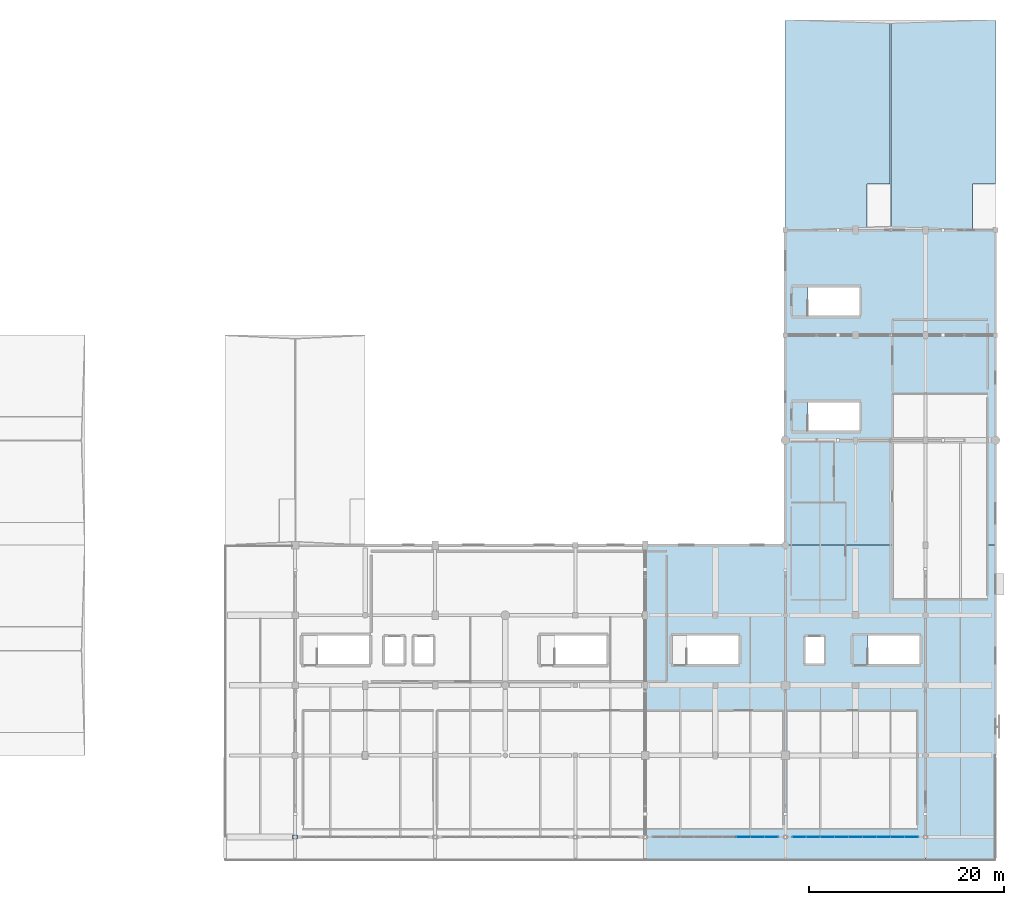
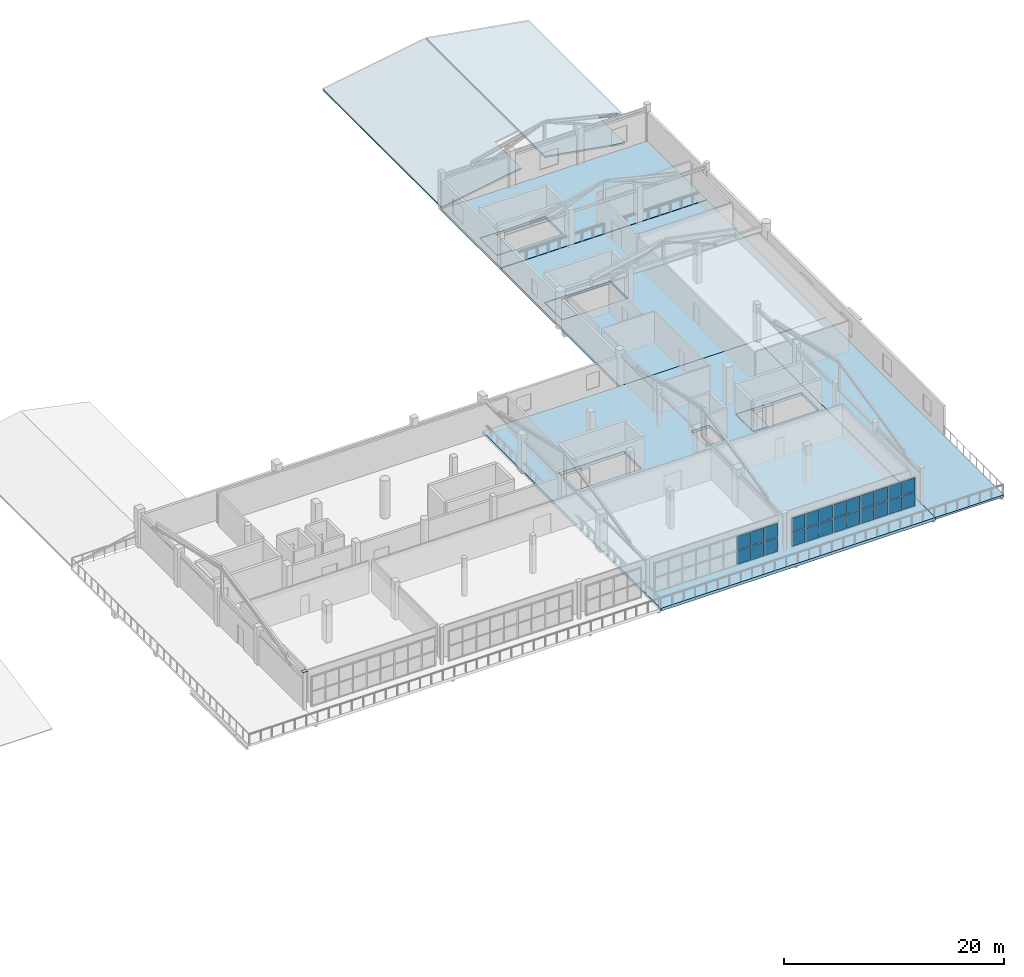
# One storey, part 23 of 41: 25 plates, 9 slabs, 2 elements without a shape of their own.
"""IFC4 building model written with IfcOpenShell, lengths in metres."""

from ifc_helpers import new_model, si_unit, direction, frame, origin, origin_2d, place, context, subcontext, project, spatial, polyline, rectangle, outline, extrude, material, layer, layer_set, type_object, element, aggregate, save


model = new_model("IFC4")

# Units and contexts
model_context = context("Model", 3, precision=1e-05, world=origin(), true_north=direction((0.0, 1.0)))
body_context = subcontext(model_context, "Body", "Model", "MODEL_VIEW")
ifc_project = project(units=[si_unit("LENGTHUNIT", "METRE"), si_unit("AREAUNIT", "SQUARE_METRE"), si_unit("VOLUMEUNIT", "CUBIC_METRE"), si_unit("PLANEANGLEUNIT", "RADIAN"), si_unit("MASSUNIT", "GRAM", prefix="KILO")], contexts=[model_context])

# Site, building, storey
site_placement = place(None, origin())
site = spatial("IfcSite", under=ifc_project, at=site_placement, CompositionType="ELEMENT")
building_placement = place(site_placement, origin())
building = spatial("IfcBuilding", under=site, at=building_placement, Name="Solanera Park Tramway Depot", CompositionType="ELEMENT")
storey_placement = place(building_placement, frame((0.0, 0.0, 13.199951171875)))
storey = spatial("IfcBuildingStorey", under=building, at=storey_placement, Name="L03", CompositionType="ELEMENT", Elevation=13.199951171875)

# Curtain wall, plates
ifc_material_1 = material(Name="Bronze-anodised thermally broken aluminium curtain wall", Category="aluminium")
curtain_wall_type = type_object("IfcCurtainWallType", Name="Cantilevered OCC Inclined Glazing Wall", PredefinedType="NOTDEFINED", material=ifc_material_1)
curtain_wall_1_placement = place(storey_placement, origin())
curtain_wall_1 = element("IfcCurtainWall", 1, at=curtain_wall_1_placement, inside=storey, type_object=curtain_wall_type, Name="L03 Cantilevered OCC Inclined Glazing Wall #124", PredefinedType="NOTDEFINED")
ifc_material_2 = material(Name="Low-E laminated solar-control double glazing", Category="glass")
ifc_layer_1 = layer(ifc_material_2, 0.028076171875)
ifc_layer_set_1 = layer_set([ifc_layer_1], Name="Low-E laminated solar-control double glazing")
plate_type_1 = type_object("IfcPlateType", Name="Curtain Wall Double Glazing Panel 28", PredefinedType="CURTAIN_PANEL", material=ifc_layer_set_1)
plate_1_placement = place(storey_placement, frame((161.288818359375, 2.39990234375, 0.11181640625), z_axis=(0.0, 0.0, 1.0), x_axis=(1.0, 0.0, 0.0)))
plate_1 = element("IfcPlate", 2, at=plate_1_placement, type_object=plate_type_1, Name="CW-L03-124 Glazing Panel R1.C7", PredefinedType="CURTAIN_PANEL", context=body_context, shape_type="SweptSolid", body=[
    extrude(rectangle(XDim=1.392333984375, YDim=0.028076171875, at=origin_2d()), origin(), (0.0, 0.0, 1.0), 1.510986328125),
])
plate_2_placement = place(storey_placement, frame((162.7333984375, 2.39990234375, 0.11181640625), z_axis=(0.0, 0.0, 1.0), x_axis=(1.0, 0.0, 0.0)))
plate_2 = element("IfcPlate", 3, at=plate_2_placement, type_object=plate_type_1, Name="CW-L03-124 Glazing Panel R1.C8", PredefinedType="CURTAIN_PANEL", context=body_context, shape_type="SweptSolid", body=[
    extrude(rectangle(XDim=1.392333984375, YDim=0.028076171875, at=origin_2d()), origin(), (0.0, 0.0, 1.0), 1.510986328125),
])
plate_3_placement = place(storey_placement, frame((164.16162109375, 2.39990234375, 0.11181640625), z_axis=(0.0, 0.0, 1.0), x_axis=(1.0, 0.0, 0.0)))
plate_3 = element("IfcPlate", 4, at=plate_3_placement, type_object=plate_type_1, Name="CW-L03-124 Glazing Panel R1.C9", PredefinedType="CURTAIN_PANEL", context=body_context, shape_type="SweptSolid", body=[
    extrude(rectangle(XDim=1.35986328125, YDim=0.028076171875, at=origin_2d()), origin(), (0.0, 0.0, 1.0), 1.510986328125),
])
plate_4_placement = place(storey_placement, frame((161.288818359375, 2.39990234375, 1.72705078125), z_axis=(0.0, 0.0, 1.0), x_axis=(1.0, 0.0, 0.0)))
plate_4 = element("IfcPlate", 5, at=plate_4_placement, type_object=plate_type_1, Name="CW-L03-124 Glazing Panel R2.C7", PredefinedType="CURTAIN_PANEL", context=body_context, shape_type="SweptSolid", body=[
    extrude(rectangle(XDim=1.392333984375, YDim=0.028076171875, at=origin_2d()), origin(), (0.0, 0.0, 1.0), 1.510986328125),
])
plate_5_placement = place(storey_placement, frame((162.7333984375, 2.39990234375, 1.72705078125), z_axis=(0.0, 0.0, 1.0), x_axis=(1.0, 0.0, 0.0)))
plate_5 = element("IfcPlate", 6, at=plate_5_placement, type_object=plate_type_1, Name="CW-L03-124 Glazing Panel R2.C8", PredefinedType="CURTAIN_PANEL", context=body_context, shape_type="SweptSolid", body=[
    extrude(rectangle(XDim=1.392333984375, YDim=0.028076171875, at=origin_2d()), origin(), (0.0, 0.0, 1.0), 1.510986328125),
])
plate_6_placement = place(storey_placement, frame((164.16162109375, 2.39990234375, 1.72705078125), z_axis=(0.0, 0.0, 1.0), x_axis=(1.0, 0.0, 0.0)))
plate_6 = element("IfcPlate", 7, at=plate_6_placement, type_object=plate_type_1, Name="CW-L03-124 Glazing Panel R2.C9", PredefinedType="CURTAIN_PANEL", context=body_context, shape_type="SweptSolid", body=[
    extrude(rectangle(XDim=1.35986328125, YDim=0.028076171875, at=origin_2d()), origin(), (0.0, 0.0, 1.0), 1.510986328125),
])
aggregate(curtain_wall_1, [plate_1, plate_2, plate_3, plate_4, plate_5, plate_6])

curtain_wall_2_placement = place(storey_placement, origin())
curtain_wall_2 = element("IfcCurtainWall", 8, at=curtain_wall_2_placement, inside=storey, type_object=curtain_wall_type, Name="L03 Cantilevered OCC Inclined Glazing Wall #125", PredefinedType="NOTDEFINED")
plate_7_placement = place(storey_placement, frame((167.03857421875, 2.39990234375, 0.11181640625), z_axis=(0.0, 0.0, 1.0), x_axis=(1.0, 0.0, 0.0)))
plate_7 = element("IfcPlate", 9, at=plate_7_placement, type_object=plate_type_1, Name="CW-L03-125 Glazing Panel R1.C1", PredefinedType="CURTAIN_PANEL", context=body_context, shape_type="SweptSolid", body=[
    extrude(rectangle(XDim=1.35986328125, YDim=0.028076171875, at=origin_2d()), origin(), (0.0, 0.0, 1.0), 1.510986328125),
])
plate_8_placement = place(storey_placement, frame((168.466796875, 2.39990234375, 0.11181640625), z_axis=(0.0, 0.0, 1.0), x_axis=(1.0, 0.0, 0.0)))
plate_8 = element("IfcPlate", 10, at=plate_8_placement, type_object=plate_type_1, Name="CW-L03-125 Glazing Panel R1.C2", PredefinedType="CURTAIN_PANEL", context=body_context, shape_type="SweptSolid", body=[
    extrude(rectangle(XDim=1.392333984375, YDim=0.028076171875, at=origin_2d()), origin(), (0.0, 0.0, 1.0), 1.510986328125),
])
plate_9_placement = place(storey_placement, frame((169.9111328125, 2.39990234375, 0.11181640625), z_axis=(0.0, 0.0, 1.0), x_axis=(1.0, 0.0, 0.0)))
plate_9 = element("IfcPlate", 11, at=plate_9_placement, type_object=plate_type_1, Name="CW-L03-125 Glazing Panel R1.C3", PredefinedType="CURTAIN_PANEL", context=body_context, shape_type="SweptSolid", body=[
    extrude(rectangle(XDim=1.392333984375, YDim=0.028076171875, at=origin_2d()), origin(), (0.0, 0.0, 1.0), 1.510986328125),
])
plate_10_placement = place(storey_placement, frame((171.355712890625, 2.39990234375, 0.11181640625), z_axis=(0.0, 0.0, 1.0), x_axis=(1.0, 0.0, 0.0)))
plate_10 = element("IfcPlate", 12, at=plate_10_placement, type_object=plate_type_1, Name="CW-L03-125 Glazing Panel R1.C4", PredefinedType="CURTAIN_PANEL", context=body_context, shape_type="SweptSolid", body=[
    extrude(rectangle(XDim=1.392333984375, YDim=0.028076171875, at=origin_2d()), origin(), (0.0, 0.0, 1.0), 1.510986328125),
])
plate_11_placement = place(storey_placement, frame((172.800048828125, 2.39990234375, 0.11181640625), z_axis=(0.0, 0.0, 1.0), x_axis=(1.0, 0.0, 0.0)))
plate_11 = element("IfcPlate", 13, at=plate_11_placement, type_object=plate_type_1, Name="CW-L03-125 Glazing Panel R1.C5", PredefinedType="CURTAIN_PANEL", context=body_context, shape_type="SweptSolid", body=[
    extrude(rectangle(XDim=1.392333984375, YDim=0.028076171875, at=origin_2d()), origin(), (0.0, 0.0, 1.0), 1.510986328125),
])
plate_12_placement = place(storey_placement, frame((174.244384765625, 2.39990234375, 0.11181640625), z_axis=(0.0, 0.0, 1.0), x_axis=(1.0, 0.0, 0.0)))
plate_12 = element("IfcPlate", 14, at=plate_12_placement, type_object=plate_type_1, Name="CW-L03-125 Glazing Panel R1.C6", PredefinedType="CURTAIN_PANEL", context=body_context, shape_type="SweptSolid", body=[
    extrude(rectangle(XDim=1.392333984375, YDim=0.028076171875, at=origin_2d()), origin(), (0.0, 0.0, 1.0), 1.510986328125),
])
plate_13_placement = place(storey_placement, frame((175.68896484375, 2.39990234375, 0.11181640625), z_axis=(0.0, 0.0, 1.0), x_axis=(1.0, 0.0, 0.0)))
plate_13 = element("IfcPlate", 15, at=plate_13_placement, type_object=plate_type_1, Name="CW-L03-125 Glazing Panel R1.C7", PredefinedType="CURTAIN_PANEL", context=body_context, shape_type="SweptSolid", body=[
    extrude(rectangle(XDim=1.392333984375, YDim=0.028076171875, at=origin_2d()), origin(), (0.0, 0.0, 1.0), 1.510986328125),
])
plate_14_placement = place(storey_placement, frame((177.13330078125, 2.39990234375, 0.11181640625), z_axis=(0.0, 0.0, 1.0), x_axis=(1.0, 0.0, 0.0)))
plate_14 = element("IfcPlate", 16, at=plate_14_placement, type_object=plate_type_1, Name="CW-L03-125 Glazing Panel R1.C8", PredefinedType="CURTAIN_PANEL", context=body_context, shape_type="SweptSolid", body=[
    extrude(rectangle(XDim=1.392333984375, YDim=0.028076171875, at=origin_2d()), origin(), (0.0, 0.0, 1.0), 1.510986328125),
])
plate_15_placement = place(storey_placement, frame((178.5615234375, 2.39990234375, 0.11181640625), z_axis=(0.0, 0.0, 1.0), x_axis=(1.0, 0.0, 0.0)))
plate_15 = element("IfcPlate", 17, at=plate_15_placement, type_object=plate_type_1, Name="CW-L03-125 Glazing Panel R1.C9", PredefinedType="CURTAIN_PANEL", context=body_context, shape_type="SweptSolid", body=[
    extrude(rectangle(XDim=1.35986328125, YDim=0.028076171875, at=origin_2d()), origin(), (0.0, 0.0, 1.0), 1.510986328125),
])
plate_16_placement = place(storey_placement, frame((167.03857421875, 2.39990234375, 1.72705078125), z_axis=(0.0, 0.0, 1.0), x_axis=(1.0, 0.0, 0.0)))
plate_16 = element("IfcPlate", 18, at=plate_16_placement, type_object=plate_type_1, Name="CW-L03-125 Glazing Panel R2.C1", PredefinedType="CURTAIN_PANEL", context=body_context, shape_type="SweptSolid", body=[
    extrude(rectangle(XDim=1.35986328125, YDim=0.028076171875, at=origin_2d()), origin(), (0.0, 0.0, 1.0), 1.510986328125),
])
plate_17_placement = place(storey_placement, frame((168.466796875, 2.39990234375, 1.72705078125), z_axis=(0.0, 0.0, 1.0), x_axis=(1.0, 0.0, 0.0)))
plate_17 = element("IfcPlate", 19, at=plate_17_placement, type_object=plate_type_1, Name="CW-L03-125 Glazing Panel R2.C2", PredefinedType="CURTAIN_PANEL", context=body_context, shape_type="SweptSolid", body=[
    extrude(rectangle(XDim=1.392333984375, YDim=0.028076171875, at=origin_2d()), origin(), (0.0, 0.0, 1.0), 1.510986328125),
])
plate_18_placement = place(storey_placement, frame((169.9111328125, 2.39990234375, 1.72705078125), z_axis=(0.0, 0.0, 1.0), x_axis=(1.0, 0.0, 0.0)))
plate_18 = element("IfcPlate", 20, at=plate_18_placement, type_object=plate_type_1, Name="CW-L03-125 Glazing Panel R2.C3", PredefinedType="CURTAIN_PANEL", context=body_context, shape_type="SweptSolid", body=[
    extrude(rectangle(XDim=1.392333984375, YDim=0.028076171875, at=origin_2d()), origin(), (0.0, 0.0, 1.0), 1.510986328125),
])
plate_19_placement = place(storey_placement, frame((171.355712890625, 2.39990234375, 1.72705078125), z_axis=(0.0, 0.0, 1.0), x_axis=(1.0, 0.0, 0.0)))
plate_19 = element("IfcPlate", 21, at=plate_19_placement, type_object=plate_type_1, Name="CW-L03-125 Glazing Panel R2.C4", PredefinedType="CURTAIN_PANEL", context=body_context, shape_type="SweptSolid", body=[
    extrude(rectangle(XDim=1.392333984375, YDim=0.028076171875, at=origin_2d()), origin(), (0.0, 0.0, 1.0), 1.510986328125),
])
plate_20_placement = place(storey_placement, frame((172.800048828125, 2.39990234375, 1.72705078125), z_axis=(0.0, 0.0, 1.0), x_axis=(1.0, 0.0, 0.0)))
plate_20 = element("IfcPlate", 22, at=plate_20_placement, type_object=plate_type_1, Name="CW-L03-125 Glazing Panel R2.C5", PredefinedType="CURTAIN_PANEL", context=body_context, shape_type="SweptSolid", body=[
    extrude(rectangle(XDim=1.392333984375, YDim=0.028076171875, at=origin_2d()), origin(), (0.0, 0.0, 1.0), 1.510986328125),
])
plate_21_placement = place(storey_placement, frame((174.244384765625, 2.39990234375, 1.72705078125), z_axis=(0.0, 0.0, 1.0), x_axis=(1.0, 0.0, 0.0)))
plate_21 = element("IfcPlate", 23, at=plate_21_placement, type_object=plate_type_1, Name="CW-L03-125 Glazing Panel R2.C6", PredefinedType="CURTAIN_PANEL", context=body_context, shape_type="SweptSolid", body=[
    extrude(rectangle(XDim=1.392333984375, YDim=0.028076171875, at=origin_2d()), origin(), (0.0, 0.0, 1.0), 1.510986328125),
])
plate_22_placement = place(storey_placement, frame((175.68896484375, 2.39990234375, 1.72705078125), z_axis=(0.0, 0.0, 1.0), x_axis=(1.0, 0.0, 0.0)))
plate_22 = element("IfcPlate", 24, at=plate_22_placement, type_object=plate_type_1, Name="CW-L03-125 Glazing Panel R2.C7", PredefinedType="CURTAIN_PANEL", context=body_context, shape_type="SweptSolid", body=[
    extrude(rectangle(XDim=1.392333984375, YDim=0.028076171875, at=origin_2d()), origin(), (0.0, 0.0, 1.0), 1.510986328125),
])
plate_23_placement = place(storey_placement, frame((177.13330078125, 2.39990234375, 1.72705078125), z_axis=(0.0, 0.0, 1.0), x_axis=(1.0, 0.0, 0.0)))
plate_23 = element("IfcPlate", 25, at=plate_23_placement, type_object=plate_type_1, Name="CW-L03-125 Glazing Panel R2.C8", PredefinedType="CURTAIN_PANEL", context=body_context, shape_type="SweptSolid", body=[
    extrude(rectangle(XDim=1.392333984375, YDim=0.028076171875, at=origin_2d()), origin(), (0.0, 0.0, 1.0), 1.510986328125),
])
plate_24_placement = place(storey_placement, frame((178.5615234375, 2.39990234375, 1.72705078125), z_axis=(0.0, 0.0, 1.0), x_axis=(1.0, 0.0, 0.0)))
plate_24 = element("IfcPlate", 26, at=plate_24_placement, type_object=plate_type_1, Name="CW-L03-125 Glazing Panel R2.C9", PredefinedType="CURTAIN_PANEL", context=body_context, shape_type="SweptSolid", body=[
    extrude(rectangle(XDim=1.35986328125, YDim=0.028076171875, at=origin_2d()), origin(), (0.0, 0.0, 1.0), 1.510986328125),
])
aggregate(curtain_wall_2, [plate_7, plate_8, plate_9, plate_10, plate_11, plate_12, plate_13, plate_14, plate_15, plate_16, plate_17, plate_18, plate_19, plate_20, plate_21, plate_22, plate_23, plate_24])

# Plate
ifc_material_3 = material(Name="Steel AS/NZS 3679.1 Grade 350", Category="steel")
ifc_layer_2 = layer(ifc_material_3, 0.02490234375)
ifc_layer_set_2 = layer_set([ifc_layer_2], Name="Steel AS/NZS 3679.1 Grade 350")
plate_type_2 = type_object("IfcPlateType", Name="Hollow End Cap and Base Plate 520x380x25", PredefinedType="USERDEFINED", material=ifc_layer_set_2)
plate_25_placement = place(storey_placement, frame((115.199951171875, 2.39990234375, 4.196044921875), z_axis=(0.0, 0.0, 1.0), x_axis=(1.0, 0.0, 0.0)))
element("IfcPlate", 27, at=plate_25_placement, inside=storey, type_object=plate_type_2, Name="Hollow Column Sealed Cap Plate #0018", ObjectType="BASE PLATE", PredefinedType="USERDEFINED", context=body_context, shape_type="SweptSolid", body=[
    extrude(rectangle(XDim=0.52001953125, YDim=0.3798828125, at=origin_2d()), origin(), (0.0, 0.0, 1.0), 0.02490234375),
])

# Slabs
ifc_material_4 = material(Name="Concrete N40 (C40/50)", Category="concrete")
ifc_layer_3 = layer(ifc_material_4, 0.22998046875)
ifc_layer_set_3 = layer_set([ifc_layer_3], Name="Concrete N40 (C40/50)")
slab_type_1 = type_object("IfcSlabType", Name="Slab Ext 230", PredefinedType="FLOOR", material=ifc_layer_set_3)
slab_1_placement = place(storey_placement, frame((0.0, 0.0, -0.22998046875)))
element("IfcSlab", 28, at=slab_1_placement, inside=storey, type_object=slab_type_1, Name="L03 East Cantilevered Azotea Terrace", PredefinedType="FLOOR", context=body_context, shape_type="SweptSolid", body=[
    extrude(outline(polyline([(187.199951171875, 0.0), (187.199951171875, 32.39990234375), (180.0, 32.39990234375), (180.0, 0.0), (187.199951171875, 0.0)])), origin(), (0.0, 0.0, 1.0), 0.22998046875),
])
ifc_material_5 = material(Name="Concrete N40 (C40/50)", Category="concrete")
ifc_layer_4 = layer(ifc_material_5, 0.27490234375)
ifc_layer_set_4 = layer_set([ifc_layer_4], Name="Concrete N40 (C40/50)")
slab_type_2 = type_object("IfcSlabType", Name="Slab Floor 275", PredefinedType="FLOOR", material=ifc_layer_set_4)
slab_2_placement = place(storey_placement, frame((0.0, 0.0, -0.27490234375)))
element("IfcSlab", 29, at=slab_2_placement, inside=storey, type_object=slab_type_2, Name="L03 Structural Slab SL-L03-V4ES", PredefinedType="FLOOR", context=body_context, shape_type="SweptSolid", body=[
    extrude(outline(polyline([(165.60009765625, 32.39990234375), (165.60009765625, 53.949951171875), (187.199951171875, 53.949951171875), (187.199951171875, 32.39990234375), (165.60009765625, 32.39990234375)]), holes=[polyline([(173.199951171875, 47.22509765625), (166.27490234375, 47.22509765625), (166.27490234375, 44.074951171875), (173.199951171875, 44.074951171875), (173.199951171875, 47.22509765625)])]), origin(), (0.0, 0.0, 1.0), 0.27490234375),
])
slab_3_placement = place(storey_placement, frame((0.0, 0.0, -0.27490234375)))
element("IfcSlab", 30, at=slab_3_placement, inside=storey, type_object=slab_type_2, Name="L03 Structural Slab SL-L03-V4EN", PredefinedType="FLOOR", context=body_context, shape_type="SweptSolid", body=[
    extrude(outline(polyline([(165.60009765625, 54.0), (165.60009765625, 64.800048828125), (187.199951171875, 64.800048828125), (187.199951171875, 54.0), (165.60009765625, 54.0)]), holes=[polyline([(173.199951171875, 59.02490234375), (166.27490234375, 59.02490234375), (166.27490234375, 55.875), (173.199951171875, 55.875), (173.199951171875, 59.02490234375)])]), origin(), (0.0, 0.0, 1.0), 0.27490234375),
])
ifc_material_6 = material(Name="Concrete N40 (C40/50)", Category="concrete")
ifc_layer_5 = layer(ifc_material_6, 0.324951171875)
ifc_layer_set_5 = layer_set([ifc_layer_5], Name="Concrete N40 (C40/50)")
slab_type_3 = type_object("IfcSlabType", Name="Slab Floor 325", PredefinedType="FLOOR", material=ifc_layer_set_5)
slab_4_placement = place(storey_placement, frame((0.0, 0.0, -0.324951171875)))
element("IfcSlab", 31, at=slab_4_placement, inside=storey, type_object=slab_type_3, Name="L03 Structural Slab SL-L03-V4HE", PredefinedType="FLOOR", context=body_context, shape_type="SweptSolid", body=[
    extrude(outline(polyline([(180.0, 32.39990234375), (180.0, 0.0), (151.199951171875, 0.0), (151.199951171875, 32.39990234375), (180.0, 32.39990234375)]), holes=[polyline([(153.875, 20.074951171875), (160.800048828125, 20.074951171875), (160.800048828125, 23.22509765625), (153.875, 23.22509765625), (153.875, 20.074951171875)]), polyline([(172.47509765625, 23.22509765625), (172.47509765625, 20.074951171875), (179.39990234375, 20.074951171875), (179.39990234375, 23.22509765625), (172.47509765625, 23.22509765625)]), polyline([(169.550048828125, 22.949951171875), (167.64990234375, 22.949951171875), (167.64990234375, 20.25), (169.550048828125, 20.25), (169.550048828125, 22.949951171875)])]), origin(), (0.0, 0.0, 1.0), 0.324951171875),
])
ifc_material_7 = material(Name="Concrete N40 (C40/50)", Category="concrete")
ifc_layer_6 = layer(ifc_material_7, 0.179931640625)
ifc_layer_set_6 = layer_set([ifc_layer_6], Name="Concrete N40 (C40/50)")
slab_type_4 = type_object("IfcSlabType", Name="Slab Roof 180", PredefinedType="ROOF", material=ifc_layer_set_6)
slab_5_placement = place(storey_placement, frame((165.60009765625, 64.800048828125, 0.1845703125), z_axis=(-0.168446844211, -1.867355e-06, 0.985710738844), x_axis=(0.985710738846, -1.4e-11, 0.168446844211)))
element("IfcSlab", 32, at=slab_5_placement, inside=storey, type_object=slab_type_4, Name="Pitched Roof Slab V4L2E.1", PredefinedType="ROOF", context=body_context, shape_type="SweptSolid", body=[
    extrude(outline(polyline([(0.0, 0.0), (8.492186074958044, 0.0), (8.492186074892295, 4.751953124991716), (10.887511072171515, 4.751953125175496), (10.887511071938409, 21.599853515771123), (-2.988551421580717e-10, 21.599853515587345), (0.0, 0.0)])), origin(), (0.0, 0.0, -1.0), 0.179931640625),
])
slab_6_placement = place(storey_placement, frame((176.468017578125, 64.800048828125, 2.0185546875), z_axis=(0.168445983436, 2.867737e-06, 0.985710885938), x_axis=(0.985710885942, -3.3e-11, -0.168445983437)))
element("IfcSlab", 33, at=slab_6_placement, inside=storey, type_object=slab_type_4, Name="Pitched Roof Slab V4L2E.2", PredefinedType="ROOF", context=body_context, shape_type="SweptSolid", body=[
    extrude(outline(polyline([(0.0, 0.0), (8.492426727081515, -8.470329472543003e-22), (8.492426726926457, 4.75195312498046), (10.887511072062555, 4.751953125413883), (10.887511071512801, 21.599853515969606), (-7.048123075955568e-10, 21.599853515536182), (0.0, 0.0)])), origin(), (0.0, 0.0, -1.0), 0.179931640625),
])
ifc_material_8 = material(Name="Concrete N40 (C40/50)", Category="concrete")
ifc_layer_7 = layer(ifc_material_8, 0.27490234375)
ifc_layer_set_7 = layer_set([ifc_layer_7], Name="Concrete N40 (C40/50)")
slab_type_5 = type_object("IfcSlabType", Name="Slab Stair Floor Landing 275", PredefinedType="LANDING", material=ifc_layer_set_7)
slab_7_placement = place(storey_placement, frame((0.0, 0.0, -0.27490234375)))
element("IfcSlab", 34, at=slab_7_placement, inside=storey, type_object=slab_type_5, Name="ST-05 L03 Floor Landing", PredefinedType="LANDING", context=body_context, shape_type="SweptSolid", body=[
    extrude(outline(polyline([(166.280029296875, 44.080078125), (167.89990234375, 44.080078125), (167.89990234375, 47.219970703125), (166.280029296875, 47.219970703125), (166.280029296875, 44.080078125)])), origin(), (0.0, 0.0, 1.0), 0.27490234375),
])
slab_8_placement = place(storey_placement, frame((0.0, 0.0, -0.27490234375)))
element("IfcSlab", 35, at=slab_8_placement, inside=storey, type_object=slab_type_5, Name="ST-06 L03 Floor Landing", PredefinedType="LANDING", context=body_context, shape_type="SweptSolid", body=[
    extrude(outline(polyline([(166.280029296875, 55.8798828125), (167.89990234375, 55.8798828125), (167.89990234375, 59.02001953125), (166.280029296875, 59.02001953125), (166.280029296875, 55.8798828125)])), origin(), (0.0, 0.0, 1.0), 0.27490234375),
])
ifc_material_9 = material(Name="Concrete N40 (C40/50)", Category="concrete")
ifc_layer_8 = layer(ifc_material_9, 0.324951171875)
ifc_layer_set_8 = layer_set([ifc_layer_8], Name="Concrete N40 (C40/50)")
slab_type_6 = type_object("IfcSlabType", Name="Slab Stair Floor Landing 325", PredefinedType="LANDING", material=ifc_layer_set_8)
slab_9_placement = place(storey_placement, frame((0.0, 0.0, -0.324951171875)))
element("IfcSlab", 36, at=slab_9_placement, inside=storey, type_object=slab_type_6, Name="ST-04 L03 Floor Landing", PredefinedType="LANDING", context=body_context, shape_type="SweptSolid", body=[
    extrude(outline(polyline([(172.47998046875, 20.080078125), (174.10009765625, 20.080078125), (174.10009765625, 23.219970703125), (172.47998046875, 23.219970703125), (172.47998046875, 20.080078125)])), origin(), (0.0, 0.0, 1.0), 0.324951171875),
])

save(model, "model.ifc")
